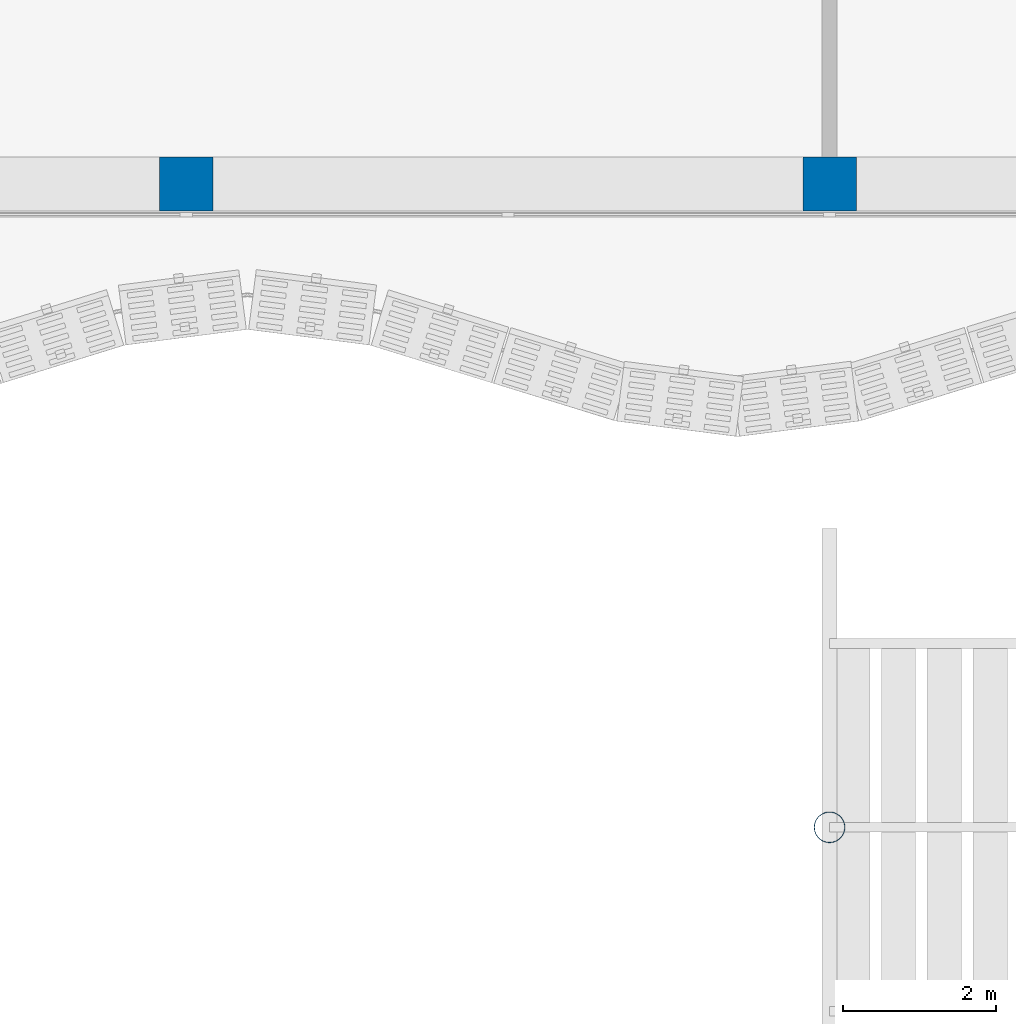
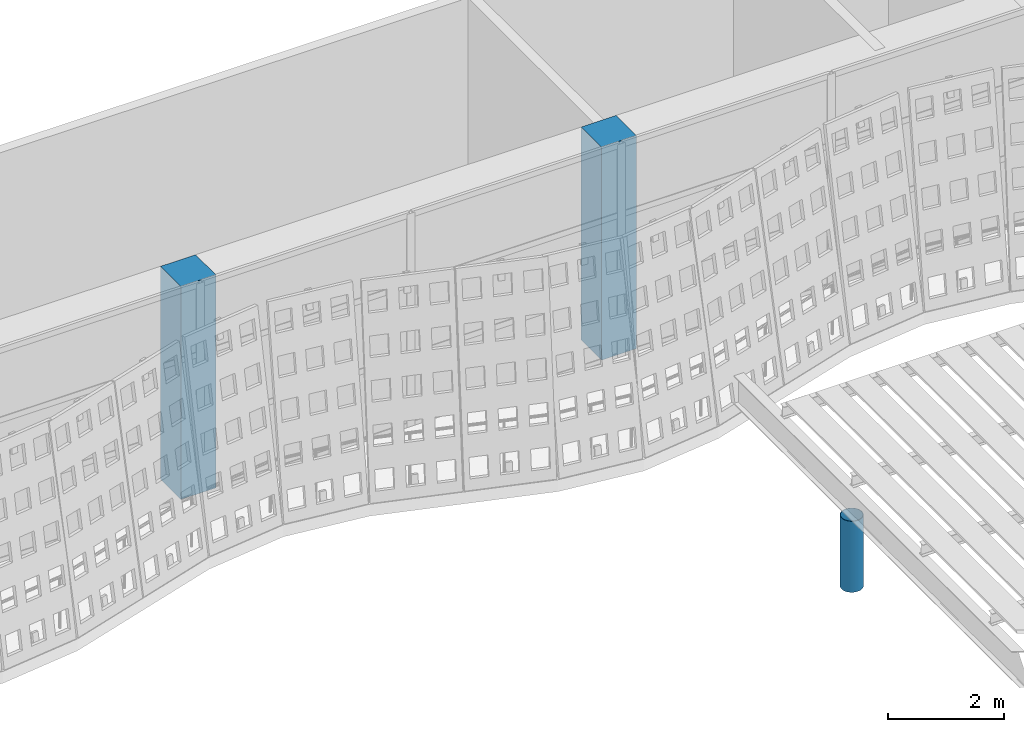
# One storey, part 5 of 162: 3 columns.
"""IFC4 building model written with IfcOpenShell, lengths in metres."""

import ifcopenshell
import ifcopenshell.guid

model = None  # the IFC model being written
_history = None  # IfcOwnerHistory: only IFC2X3 demands one
_inside = {}  # id of a spatial element -> (the spatial element, [elements in it])
_under = {}  # id of a project, library or spatial element -> (it, [spatial elements below it])
_declared = {}  # id of a project -> (the project, [libraries it declares])
_typed = {}  # id of a type object -> (the type object, [elements of that type])
_made_of = {}  # id of a material, layer set ... -> (it, [elements and type objects made of it])


def new_model(schema):
    """Start an empty IFC model of exactly this schema.

    Asked for "IFC4X3", IfcOpenShell would pick the latest addendum, in which some entities
    have other attributes; the version numbers below select the first issue.
    IFC2X3 requires an IfcOwnerHistory on every rooted entity: one is made here for all.
    """
    global model, _history
    if schema == "IFC4X3":
        model = ifcopenshell.file(schema_version=(4, 3, 0, 0))
    else:
        model = ifcopenshell.file(schema=schema)
    _inside.clear()
    _under.clear()
    _declared.clear()
    _typed.clear()
    _made_of.clear()
    _history = None
    if model.schema == "IFC2X3":
        org = make("IfcOrganization", Name="unknown")
        user = make(
            "IfcPersonAndOrganization",
            ThePerson=make("IfcPerson", FamilyName="unknown"),
            TheOrganization=org,
        )
        app = make(
            "IfcApplication",
            ApplicationDeveloper=org,
            Version="unknown",
            ApplicationFullName="unknown",
            ApplicationIdentifier="unknown",
        )
        _history = make(
            "IfcOwnerHistory",
            OwningUser=user,
            OwningApplication=app,
            ChangeAction="ADDED",
            CreationDate=0,
        )
    return model


def make(cls, **values):
    """One entity of the class cls with the attributes given. An attribute that is None is left unset."""
    return model.create_entity(
        cls, **{name: value for name, value in values.items() if value is not None}
    )


def rooted(cls, **values):
    """An entity with a GlobalId (a new one), such as an element, a storey or a relation."""
    return make(cls, GlobalId=ifcopenshell.guid.new(), OwnerHistory=_history, **values)


def si_unit(unit_type, name, prefix=None):
    """IfcSIUnit, for example si_unit("LENGTHUNIT", "METRE", prefix="MILLI")."""
    return make("IfcSIUnit", UnitType=unit_type, Prefix=prefix, Name=name)


def assignment(units):
    """IfcUnitAssignment: the units of a project."""
    return None if units is None else make("IfcUnitAssignment", Units=units)


def point(xyz):
    """IfcCartesianPoint."""
    return None if xyz is None else make("IfcCartesianPoint", Coordinates=xyz)


def direction(xyz):
    """IfcDirection."""
    return None if xyz is None else make("IfcDirection", DirectionRatios=xyz)


def frame(location, z_axis=None, x_axis=None):
    """IfcAxis2Placement3D, a coordinate frame: its origin and axes. An axis left out is left unset."""
    return make(
        "IfcAxis2Placement3D",
        Location=point(location),
        Axis=direction(z_axis),
        RefDirection=direction(x_axis),
    )


def frame_2d(location, x_axis=None):
    """IfcAxis2Placement2D, a coordinate frame in the plane: its origin and x axis."""
    return make(
        "IfcAxis2Placement2D", Location=point(location), RefDirection=direction(x_axis)
    )


def origin():
    """The frame at (0, 0, 0) with its axes left unset."""
    return frame((0.0, 0.0, 0.0))


def origin_2d():
    """The frame at (0, 0) in the plane with its x axis left unset."""
    return frame_2d((0.0, 0.0))


def place(relative_to, where):
    """IfcLocalPlacement: puts the frame where relative to a parent placement (None: the world)."""
    return make(
        "IfcLocalPlacement", PlacementRelTo=relative_to, RelativePlacement=where
    )


def context(
    kind, dimensions, precision=None, world=None, true_north=None, identifier=None
):
    """IfcGeometricRepresentationContext, for example the 3D "Model" context."""
    return make(
        "IfcGeometricRepresentationContext",
        ContextIdentifier=identifier,
        ContextType=kind,
        CoordinateSpaceDimension=dimensions,
        Precision=precision,
        WorldCoordinateSystem=world,
        TrueNorth=true_north,
    )


def subcontext(parent, identifier, kind, view, scale=None):
    """IfcGeometricRepresentationSubContext, for example "Body" below "Model"."""
    return make(
        "IfcGeometricRepresentationSubContext",
        ContextIdentifier=identifier,
        ContextType=kind,
        ParentContext=parent,
        TargetScale=scale,
        TargetView=view,
    )


def project(units=None, contexts=None):
    """IfcProject with its units and contexts."""
    return rooted(
        "IfcProject",
        Name="project",
        RepresentationContexts=contexts,
        UnitsInContext=assignment(units),
    )


def spatial(cls, under=None, at=None, **own):
    """A site, building, storey or space (cls), placed at a placement, below another one or the project."""
    s = rooted(cls, ObjectPlacement=at, **own)
    if under is not None:
        _under.setdefault(under.id(), (under, []))[1].append(s)
    return s


def profile(cls, at=None, kind="AREA", **sizes):
    """A parametric profile (cls). Its sizes go by their IFC names, for example OverallWidth=200.0."""
    return make(cls, ProfileType=kind, Position=at, **sizes)


def rectangle(**sizes):
    """IfcRectangleProfileDef."""
    return profile("IfcRectangleProfileDef", **sizes)


def hollow_circle(**sizes):
    """IfcCircleHollowProfileDef."""
    return profile("IfcCircleHollowProfileDef", **sizes)


def extrude(swept, where, along, depth):
    """IfcExtrudedAreaSolid: the profile swept, set in the frame where, extruded along a direction by depth."""
    return make(
        "IfcExtrudedAreaSolid",
        SweptArea=swept,
        Position=where,
        ExtrudedDirection=direction(along),
        Depth=depth,
    )


def shape(context_of_items, identifier, shape_type, items):
    """IfcShapeRepresentation: the items that make up one representation, for example the "Body"."""
    return make(
        "IfcShapeRepresentation",
        ContextOfItems=context_of_items,
        RepresentationIdentifier=identifier,
        RepresentationType=shape_type,
        Items=items,
    )


def material(Name=None, Category=None):
    """IfcMaterial."""
    return make("IfcMaterial", Name=Name, Category=Category)


def material_profile(
    of_material, cross_section, Name=None, Category=None, Priority=None
):
    """IfcMaterialProfile: a cross section and its material."""
    return make(
        "IfcMaterialProfile",
        Name=Name,
        Material=of_material,
        Profile=cross_section,
        Priority=Priority,
        Category=Category,
    )


def profile_set(profiles, Name=None, composite=None):
    """IfcMaterialProfileSet."""
    return make(
        "IfcMaterialProfileSet",
        Name=Name,
        MaterialProfiles=profiles,
        CompositeProfile=composite,
    )


def made_of(thing, what):
    """Note that an element or type object is made of a material, layer set ...; save() writes the relation."""
    if what is not None:
        _made_of.setdefault(what.id(), (what, []))[1].append(thing)
    return thing


def type_object(cls, material=None, **own):
    """A type object (cls), such as IfcWallType, which elements share."""
    return made_of(rooted(cls, **own), material)


def element(
    cls,
    number,
    at=None,
    inside=None,
    cuts=None,
    type_object=None,
    material=None,
    context=None,
    identifier="Body",
    shape_type=None,
    held_by="IfcProductDefinitionShape",
    body=None,
    shapes=None,
    **own,
):
    """One element of the class cls, such as IfcWall. Its Tag is "e" and its number.

    at: its placement. inside: the storey or other place that contains it. cuts: it is an
    opening in that element (IfcRelVoidsElement). A single representation is given by context,
    identifier, shape_type and body (its items); several are given by shapes. held_by: the class
    of the entity that holds the representations. save() writes the other relations.
    """
    e = rooted(cls, Tag="e%d" % number, ObjectPlacement=at, **own)
    if body is not None:
        shapes = [shape(context, identifier, shape_type, body)]
    if shapes is not None:
        e.Representation = make(held_by, Representations=shapes)
    if inside is not None:
        _inside.setdefault(inside.id(), (inside, []))[1].append(e)
    if cuts is not None:
        rooted(
            "IfcRelVoidsElement", RelatingBuildingElement=cuts, RelatedOpeningElement=e
        )
    if type_object is not None:
        _typed.setdefault(type_object.id(), (type_object, []))[1].append(e)
    return made_of(e, material)


def aggregate(whole, parts):
    """IfcRelAggregates: a whole, such as a stair, and the parts it consists of."""
    return rooted("IfcRelAggregates", RelatingObject=whole, RelatedObjects=parts)


def save(model, path):
    """Write the relations noted so far, then the file.

    IfcRelAggregates (storeys below a building ...), IfcRelContainedInSpatialStructure (elements
    in a storey), IfcRelDefinesByType, IfcRelAssociatesMaterial and IfcRelDeclares: one each for
    every whole, place, type object, material and project.
    """
    for whole, parts in _under.values():
        aggregate(whole, parts)
    for where, things in _inside.values():
        rooted(
            "IfcRelContainedInSpatialStructure",
            RelatedElements=things,
            RelatingStructure=where,
        )
    for kind, things in _typed.values():
        rooted("IfcRelDefinesByType", RelatedObjects=things, RelatingType=kind)
    for what, things in _made_of.values():
        rooted("IfcRelAssociatesMaterial", RelatedObjects=things, RelatingMaterial=what)
    for by, libraries in _declared.values():
        rooted("IfcRelDeclares", RelatingContext=by, RelatedDefinitions=libraries)
    model.write(path)


model = new_model("IFC4")

# Units and contexts
model_context = context("Model", 3, precision=1e-05, world=origin(), true_north=direction((0.0, 1.0)))
body_context = subcontext(model_context, "Body", "Model", "MODEL_VIEW")
ifc_project = project(units=[si_unit("LENGTHUNIT", "METRE"), si_unit("AREAUNIT", "SQUARE_METRE"), si_unit("VOLUMEUNIT", "CUBIC_METRE"), si_unit("PLANEANGLEUNIT", "RADIAN"), si_unit("MASSUNIT", "GRAM", prefix="KILO")], contexts=[model_context])

# Site, building, storey
site_placement = place(None, origin())
site = spatial("IfcSite", under=ifc_project, at=site_placement, CompositionType="ELEMENT")
building_placement = place(site_placement, origin())
building = spatial("IfcBuilding", under=site, at=building_placement, Name="Rain Tree Exposition and Congress Centre", CompositionType="ELEMENT")
storey_placement = place(building_placement, frame((0.0, 0.0, 6.0)))
storey = spatial("IfcBuildingStorey", under=building, at=storey_placement, Name="L01", CompositionType="ELEMENT", Elevation=6.0)

# Columns
ifc_material_1 = material(Name="Precast concrete C50/60", Category="concrete")
ifc_material_profile_1 = material_profile(ifc_material_1, rectangle(XDim=0.699951171875, YDim=0.699951171875, at=origin_2d()), Name="RC 700x700")
ifc_profile_set_1 = profile_set([ifc_material_profile_1], Name="Precast concrete C50/60")
column_type_1 = type_object("IfcColumnType", Name="Precast column 700x700", PredefinedType="COLUMN", material=ifc_profile_set_1)
for number, where, z_axis, x_axis, name in (
    (1, (50.39990234375, 75.60009765625, 0.0), (0.0, 0.0, 1.0), (1.0, 0.0, 0.0), "Concourse column L01 A7"),
    (2, (58.800048828125, 75.60009765625, 0.0), (0.0, 0.0, 1.0), (1.0, 0.0, 0.0), "Concourse column L01 A8"),
):
    element("IfcColumn", number, at=place(storey_placement, frame(where, z_axis=z_axis, x_axis=x_axis)), inside=storey, type_object=column_type_1, Name=name, PredefinedType="COLUMN", context=body_context, shape_type="SweptSolid", body=[
        extrude(rectangle(XDim=0.699951171875, YDim=0.699951171875, at=origin_2d()), origin(), (0.0, 0.0, 1.0), 4.5),
    ])
ifc_material_2 = material(Name="Steel S355J2H", Category="steel")
ifc_material_profile_2 = material_profile(ifc_material_2, hollow_circle(Radius=0.203125, WallThickness=0.009033203125, at=origin_2d()), Name="CHS 406.4x9")
ifc_profile_set_2 = profile_set([ifc_material_profile_2], Name="Steel S355J2H")
column_type_2 = type_object("IfcColumnType", Name="Steel column CHS 406.4x9", PredefinedType="COLUMN", material=ifc_profile_set_2)
column_placement = place(storey_placement, frame((58.800048828125, 67.199951171875, 0.0), z_axis=(0.0, 0.0, 1.0), x_axis=(1.0, 0.0, 0.0)))
element("IfcColumn", 3, at=column_placement, inside=storey, type_object=column_type_2, Name="Rain tree column 2", PredefinedType="COLUMN", context=body_context, shape_type="SweptSolid", body=[
    extrude(hollow_circle(Radius=0.203125, WallThickness=0.009033203125, at=origin_2d()), origin(), (0.0, 0.0, 1.0), 1.5),
])

save(model, "model.ifc")
